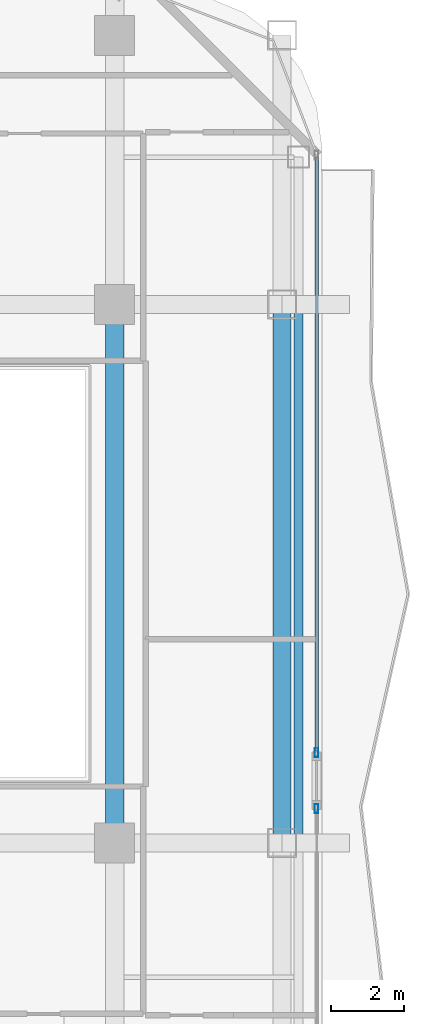
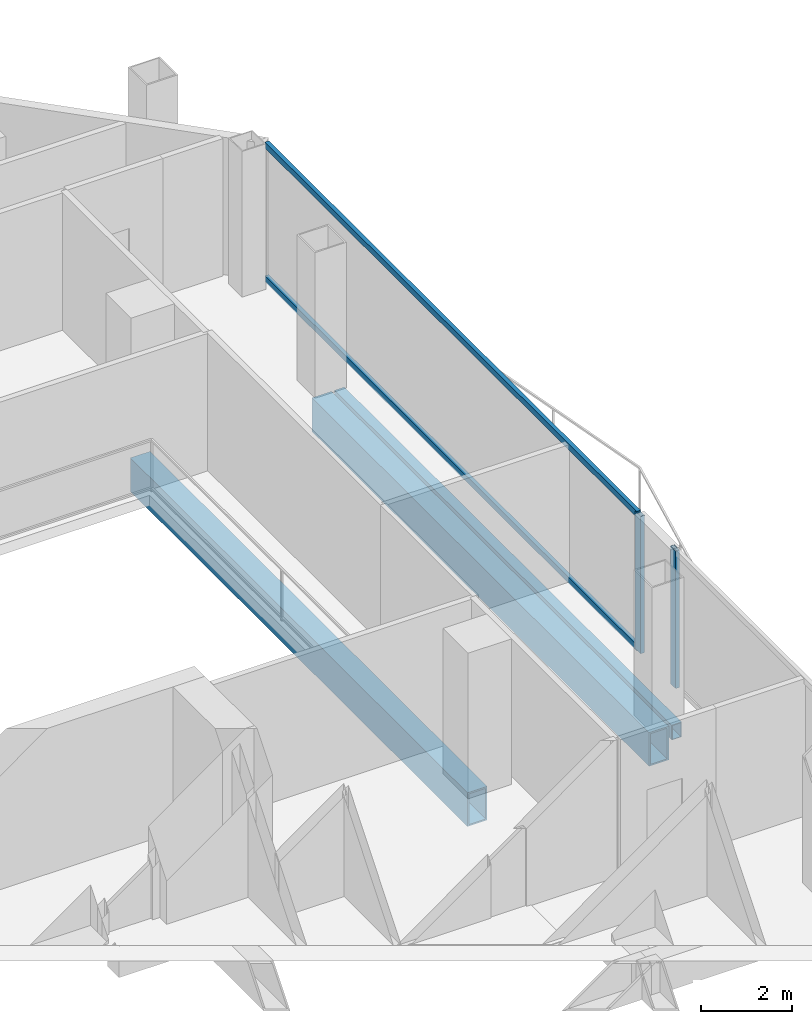
# One storey, part 9 of 24: 4 members, 3 beams, 2 elements without a shape of their own.
"""IFC4 building model written with IfcOpenShell, lengths in metres."""

from ifc_helpers import new_model, si_unit, direction, frame, origin, origin_2d, place, context, subcontext, project, spatial, hollow_rectangle, extrude, material, layer, layer_set, material_profile, profile_set, type_object, element, aggregate, save


model = new_model("IFC4")

# Units and contexts
model_context = context("Model", 3, precision=1e-05, world=origin(), true_north=direction((0.0, 1.0)))
body_context = subcontext(model_context, "Body", "Model", "MODEL_VIEW")
ifc_project = project(units=[si_unit("LENGTHUNIT", "METRE"), si_unit("AREAUNIT", "SQUARE_METRE"), si_unit("VOLUMEUNIT", "CUBIC_METRE"), si_unit("PLANEANGLEUNIT", "RADIAN"), si_unit("MASSUNIT", "GRAM", prefix="KILO")], contexts=[model_context])

# Site, building, storey
site_placement = place(None, origin())
site = spatial("IfcSite", under=ifc_project, at=site_placement, CompositionType="ELEMENT")
building_placement = place(site_placement, origin())
building = spatial("IfcBuilding", under=site, at=building_placement, Name="Khorvyn Point Tower", CompositionType="ELEMENT")
storey_placement = place(building_placement, frame((0.0, 0.0, 191.39990234375)))
storey = spatial("IfcBuildingStorey", under=building, at=storey_placement, Name="L47", CompositionType="ELEMENT", Elevation=191.39990234375)

# Curtain wall, member
ifc_material_1 = material(Name="Anodised aluminium 6063-T6 and laminated Low-E glass", Category="aluminium")
ifc_layer = layer(ifc_material_1, 0.18994140625)
ifc_layer_set = layer_set([ifc_layer], Name="Stick-Built Acoustic Curtain Wall CW-SYS-03")
curtain_wall_type = type_object("IfcCurtainWallType", Name="Stick-Built Acoustic Curtain Wall CW-SYS-03", PredefinedType="NOTDEFINED", material=ifc_layer_set)
curtain_wall_1_placement = place(storey_placement, origin())
curtain_wall_1 = element("IfcCurtainWall", 1, at=curtain_wall_1_placement, inside=storey, type_object=curtain_wall_type, Name="Curtain Wall", PredefinedType="NOTDEFINED")
ifc_material_2 = material(Name="Anodised aluminium 6063-T6", Category="aluminium")
ifc_material_profile_1 = material_profile(ifc_material_2, hollow_rectangle(XDim=0.10009765625, YDim=0.239990234375, WallThickness=0.0048828125, at=origin_2d()))
ifc_profile_set_1 = profile_set([ifc_material_profile_1], Name="Anodised aluminium 6063-T6 ALU-MUL-100x240")
member_type_1 = type_object("IfcMemberType", Name="Anodised Aluminium 6063-T6 Mullion ALU-MUL-100x240", PredefinedType="MULLION", material=ifc_profile_set_1)
member_1_placement = place(storey_placement, frame((20.35009765625, -4.919921875, 0.0), z_axis=(0.0, 0.0, 1.0), x_axis=(1.0, 0.0, 0.0)))
member_1 = element("IfcMember", 2, at=member_1_placement, type_object=member_type_1, Name="Transom", PredefinedType="MULLION", context=body_context, shape_type="SweptSolid", body=[
    extrude(hollow_rectangle(XDim=0.10009765625, YDim=0.239990234375, WallThickness=0.0048828125, at=origin_2d()), origin(), (0.0, 0.0, 1.0), 3.68017578125),
])

curtain_wall_2_placement = place(storey_placement, origin())
curtain_wall_2 = element("IfcCurtainWall", 3, at=curtain_wall_2_placement, inside=storey, type_object=curtain_wall_type, Name="Curtain Wall", PredefinedType="NOTDEFINED")
member_2_placement = place(storey_placement, frame((20.35009765625, -6.4599609375, 0.0), z_axis=(0.0, 0.0, 1.0), x_axis=(1.0, 0.0, 0.0)))
member_2 = element("IfcMember", 4, at=member_2_placement, type_object=member_type_1, Name="Transom", PredefinedType="MULLION", context=body_context, shape_type="SweptSolid", body=[
    extrude(hollow_rectangle(XDim=0.10009765625, YDim=0.239990234375, WallThickness=0.0048828125, at=origin_2d()), origin(), (0.0, 0.0, 1.0), 3.68017578125),
])
aggregate(curtain_wall_2, [member_2])

# Member
ifc_material_profile_2 = material_profile(ifc_material_2, hollow_rectangle(XDim=0.10009765625, YDim=0.159912109375, WallThickness=0.00439453125, at=origin_2d()))
ifc_profile_set_2 = profile_set([ifc_material_profile_2], Name="Anodised aluminium 6063-T6 ALU-TRN-100x160")
member_type_2 = type_object("IfcMemberType", Name="Anodised Aluminium 6063-T6 Transom ALU-TRN-100x160", PredefinedType="USERDEFINED", material=ifc_profile_set_2)
member_3_placement = place(storey_placement, frame((20.35009765625, 11.449951171875, 0.050048828125), z_axis=(0.0, -1.0, 0.0), x_axis=(1.0, 0.0, 0.0)))
member_3 = element("IfcMember", 5, at=member_3_placement, type_object=member_type_2, Name="Transom", ObjectType="TRANSOM", PredefinedType="USERDEFINED", context=body_context, shape_type="SweptSolid", body=[
    extrude(hollow_rectangle(XDim=0.10009765625, YDim=0.159912109375, WallThickness=0.00439453125, at=origin_2d()), origin(), (0.0, 0.0, 1.0), 16.320068359375),
])

member_4_placement = place(storey_placement, frame((20.35009765625, 11.449951171875, 3.630126953125), z_axis=(0.0, -1.0, 0.0), x_axis=(1.0, 0.0, 0.0)))
member_4 = element("IfcMember", 6, at=member_4_placement, type_object=member_type_2, Name="Transom", ObjectType="TRANSOM", PredefinedType="USERDEFINED", context=body_context, shape_type="SweptSolid", body=[
    extrude(hollow_rectangle(XDim=0.10009765625, YDim=0.159912109375, WallThickness=0.00439453125, at=origin_2d()), origin(), (0.0, 0.0, 1.0), 16.320068359375),
])

aggregate(curtain_wall_1, [member_1, member_3, member_4])

# Beams
ifc_material_3 = material(Name="Steel S355", Category="steel")
ifc_material_profile_3 = material_profile(ifc_material_3, hollow_rectangle(XDim=0.25, YDim=0.39990234375, WallThickness=0.01611328125, at=origin_2d()))
ifc_profile_set_3 = profile_set([ifc_material_profile_3], Name="Steel S355 RHS400x250x16")
beam_type_1 = type_object("IfcBeamType", Name="Steel S355 Spandrel RHS400x250x16", PredefinedType="SPANDREL", material=ifc_profile_set_3)
beam_placement = place(storey_placement, frame((19.85009765625, -7.39990234375, -0.47998046875), z_axis=(0.0, 1.0, 0.0), x_axis=(-1.0, 0.0, 0.0)))
element("IfcBeam", 7, at=beam_placement, inside=storey, type_object=beam_type_1, Name="Beam", PredefinedType="SPANDREL", context=body_context, shape_type="SweptSolid", body=[
    extrude(hollow_rectangle(XDim=0.25, YDim=0.39990234375, WallThickness=0.01611328125, at=origin_2d()), origin(), (0.0, 0.0, 1.0), 14.7998046875),
])
ifc_material_4 = material(Name="Steel S450", Category="steel")
ifc_material_profile_4 = material_profile(ifc_material_4, hollow_rectangle(XDim=0.5, YDim=0.89990234375, WallThickness=0.0400390625, at=origin_2d()))
ifc_profile_set_4 = profile_set([ifc_material_profile_4], Name="Steel S450 BOX900x500x40")
beam_type_2 = type_object("IfcBeamType", Name="Steel S450 Beam BOX900x500x40", PredefinedType="BEAM", material=ifc_profile_set_4)
for number, where, z_axis, x_axis, name in (
    (8, (14.800048828125, -7.39990234375, -0.72998046875), (0.0, 1.0, 0.0), (-1.0, 0.0, 0.0), "L47 Radial Transfer Girder"),
    (9, (19.39990234375, -7.39990234375, -0.72998046875), (0.0, 1.0, 0.0), (-1.0, 0.0, 0.0), "Beam"),
):
    element("IfcBeam", number, at=place(storey_placement, frame(where, z_axis=z_axis, x_axis=x_axis)), inside=storey, type_object=beam_type_2, Name=name, PredefinedType="BEAM", context=body_context, shape_type="SweptSolid", body=[
        extrude(hollow_rectangle(XDim=0.5, YDim=0.89990234375, WallThickness=0.0400390625, at=origin_2d()), origin(), (0.0, 0.0, 1.0), 14.7998046875),
    ])

save(model, "model.ifc")
